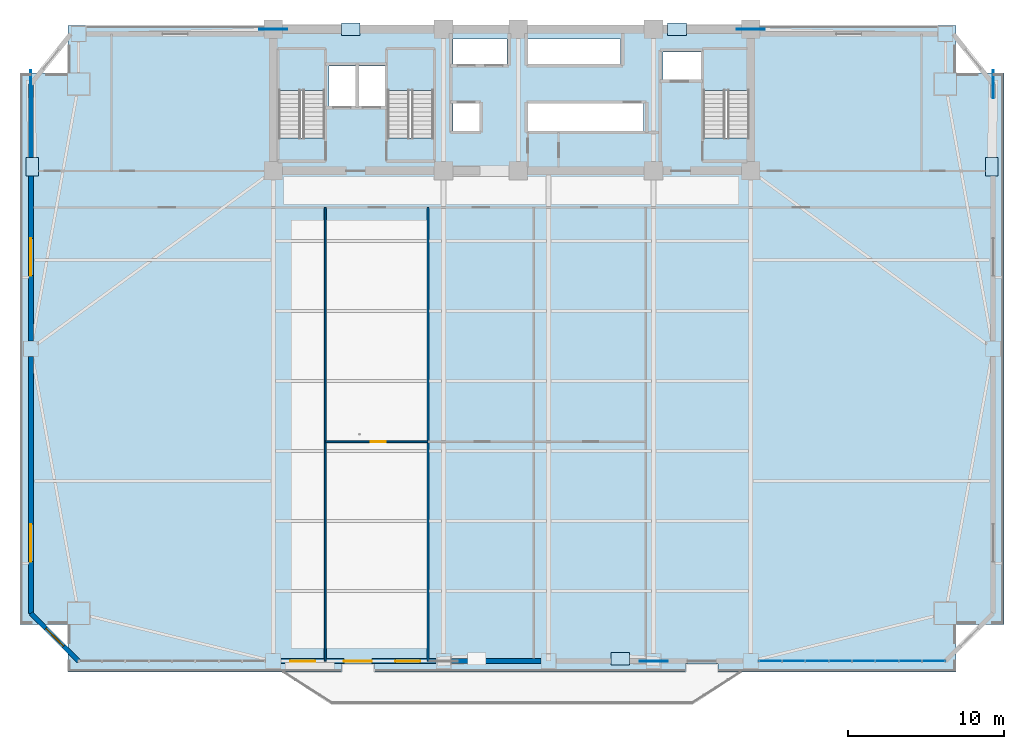
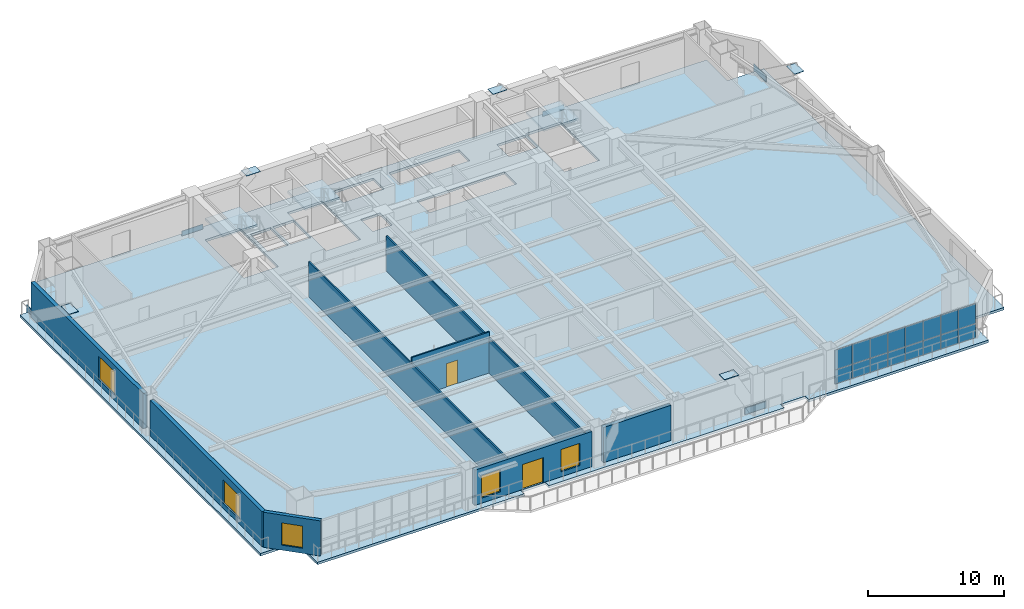
# One storey, part 7 of 16: 26 plates, 8 walls, 5 windows, 4 slabs, 2 doors, 7 openings, 4 elements without a shape of their own.
"""IFC4 building model written with IfcOpenShell, lengths in metres."""

from ifc_helpers import new_model, si_unit, direction, frame, frame_2d, origin, origin_2d, place, context, subcontext, project, spatial, polyline, rectangle, outline, extrude, source, transform, mapped, material, layer, layer_set, type_object, element, fill, aggregate, save


model = new_model("IFC4")

# Units and contexts
model_context = context("Model", 3, precision=1e-05, world=origin(), true_north=direction((0.0, 1.0)))
body_context = subcontext(model_context, "Body", "Model", "MODEL_VIEW")
ifc_project = project(units=[si_unit("LENGTHUNIT", "METRE"), si_unit("AREAUNIT", "SQUARE_METRE"), si_unit("VOLUMEUNIT", "CUBIC_METRE"), si_unit("PLANEANGLEUNIT", "RADIAN"), si_unit("MASSUNIT", "GRAM", prefix="KILO")], contexts=[model_context])

# Site, building, storey
site_placement = place(None, origin())
site = spatial("IfcSite", under=ifc_project, at=site_placement, CompositionType="ELEMENT")
building_placement = place(site_placement, origin())
building = spatial("IfcBuilding", under=site, at=building_placement, Name="Giltprow Tower", CompositionType="ELEMENT")
storey_placement = place(building_placement, frame((0.0, 0.0, 87.39990234375)))
storey = spatial("IfcBuildingStorey", under=building, at=storey_placement, Name="L21", CompositionType="ELEMENT", Elevation=87.39990234375)

# Slab
ifc_material_1 = material(Name="Concrete C40", Category="concrete")
ifc_layer_1 = layer(ifc_material_1, 0.219970703125, Name="Concrete C40")
ifc_layer_set_1 = layer_set([ifc_layer_1], Name="Concrete C40")
slab_type_1 = type_object("IfcSlabType", Name="SLB-OFF-220", PredefinedType="FLOOR", material=ifc_layer_set_1)
slab_1_placement = place(storey_placement, frame((0.0, 0.0, -0.219970703125)))
element("IfcSlab", 1, at=slab_1_placement, inside=storey, type_object=slab_type_1, Name="L21 Structural Composite Floor Slab", PredefinedType="FLOOR", context=body_context, shape_type="SweptSolid", body=[
    extrude(outline(polyline([(6.64501953125, 5.236083984375), (6.64501953125, 8.305908203125), (3.574951171875, 8.305908203125), (3.574951171875, 43.72998046875), (6.64501953125, 43.72998046875), (6.64501953125, 46.800048828125), (63.756103515625, 46.800048828125), (63.756103515625, 43.72998046875), (66.825927734375, 43.72998046875), (66.825927734375, 8.305908203125), (63.756103515625, 8.305908203125), (63.756103515625, 5.236083984375), (48.449951171875, 5.236083984375), (48.449951171875, 5.756103515625), (46.35009765625, 5.756103515625), (46.35009765625, 5.236083984375), (26.35009765625, 5.236083984375), (26.35009765625, 5.756103515625), (24.25, 5.756103515625), (24.25, 5.236083984375), (6.64501953125, 5.236083984375)]), holes=[polyline([(33.10009765625, 41.800048828125), (31.419921875, 41.800048828125), (31.419921875, 40.0), (33.10009765625, 40.0), (33.10009765625, 41.800048828125)]), polyline([(23.159912109375, 39.570068359375), (23.159912109375, 45.25), (20.199951171875, 45.25), (20.199951171875, 39.570068359375), (23.159912109375, 39.570068359375)]), polyline([(30.159912109375, 45.25), (27.199951171875, 45.25), (27.199951171875, 39.570068359375), (30.159912109375, 39.570068359375), (30.159912109375, 45.25)]), polyline([(25.169921875, 41.60009765625), (25.169921875, 44.199951171875), (23.449951171875, 44.199951171875), (23.449951171875, 41.60009765625), (25.169921875, 41.60009765625)]), polyline([(27.10009765625, 41.60009765625), (27.10009765625, 44.199951171875), (25.35009765625, 44.199951171875), (25.35009765625, 41.60009765625), (27.10009765625, 41.60009765625)]), polyline([(43.659912109375, 40.0), (43.659912109375, 41.800048828125), (36.239990234375, 41.800048828125), (36.239990234375, 40.0), (43.659912109375, 40.0)]), polyline([(50.4599609375, 39.570068359375), (50.4599609375, 45.25), (47.5, 45.25), (47.5, 39.570068359375), (50.4599609375, 39.570068359375)]), polyline([(47.3798828125, 45.10009765625), (44.919921875, 45.10009765625), (44.919921875, 43.300048828125), (47.3798828125, 43.300048828125), (47.3798828125, 45.10009765625)]), polyline([(34.8798828125, 44.300048828125), (34.8798828125, 45.919921875), (31.419921875, 45.919921875), (31.419921875, 44.300048828125), (34.8798828125, 44.300048828125)]), polyline([(42.169921875, 44.300048828125), (42.169921875, 45.919921875), (36.239990234375, 45.919921875), (36.239990234375, 44.300048828125), (42.169921875, 44.300048828125)])]), origin(), (0.0, 0.0, 1.0), 0.219970703125),
])

# Stair, slab
stair_type_1 = type_object("IfcStairType", Name="STR-ST-1", PredefinedType="HALF_TURN_STAIR", material=ifc_material_1)
stair_1_placement = place(storey_placement, origin())
stair_1 = element("IfcStair", 2, at=stair_1_placement, inside=storey, type_object=stair_type_1, Name="L21 Core Exit Stair ST-1", PredefinedType="HALF_TURN_STAIR")
ifc_layer_2 = layer(ifc_material_1, 0.179931640625, Name="Concrete C40")
ifc_layer_set_2 = layer_set([ifc_layer_2], Name="Concrete C40")
slab_type_2 = type_object("IfcSlabType", Name="SLD-ST-1", PredefinedType="LANDING", material=ifc_layer_set_2)
slab_2_placement = place(storey_placement, frame((0.0, 0.0, 1.77001953125)))
slab_2 = element("IfcSlab", 3, at=slab_2_placement, type_object=slab_type_2, Name="ST-1 landing 1", PredefinedType="LANDING", context=body_context, shape_type="SweptSolid", body=[
    extrude(outline(polyline([(23.159912109375, 42.6298828125), (23.159912109375, 45.25), (20.199951171875, 45.25), (20.199951171875, 42.6298828125), (23.159912109375, 42.6298828125)])), origin(), (0.0, 0.0, 1.0), 0.18017578125),
])
aggregate(stair_1, [slab_2])

stair_type_2 = type_object("IfcStairType", Name="STR-ST-2", PredefinedType="HALF_TURN_STAIR", material=ifc_material_1)
stair_2_placement = place(storey_placement, origin())
stair_2 = element("IfcStair", 4, at=stair_2_placement, inside=storey, type_object=stair_type_2, Name="L21 Core Exit Stair ST-2", PredefinedType="HALF_TURN_STAIR")
ifc_layer_3 = layer(ifc_material_1, 0.18798828125, Name="Concrete C40")
ifc_layer_set_3 = layer_set([ifc_layer_3], Name="Concrete C40")
slab_type_3 = type_object("IfcSlabType", Name="SLD-ST-2", PredefinedType="LANDING", material=ifc_layer_set_3)
slab_3_placement = place(storey_placement, frame((0.0, 0.0, 1.76220703125)))
slab_3 = element("IfcSlab", 5, at=slab_3_placement, type_object=slab_type_3, Name="ST-2 landing 1", PredefinedType="LANDING", context=body_context, shape_type="SweptSolid", body=[
    extrude(outline(polyline([(30.159912109375, 42.6298828125), (30.159912109375, 45.25), (27.199951171875, 45.25), (27.199951171875, 42.6298828125), (30.159912109375, 42.6298828125)])), origin(), (0.0, 0.0, 1.0), 0.18798828125),
])
aggregate(stair_2, [slab_3])

stair_type_3 = type_object("IfcStairType", Name="STR-ST-3", PredefinedType="HALF_TURN_STAIR", material=ifc_material_1)
stair_3_placement = place(storey_placement, origin())
stair_3 = element("IfcStair", 6, at=stair_3_placement, inside=storey, type_object=stair_type_3, Name="L21 Core Exit Stair ST-3", PredefinedType="HALF_TURN_STAIR")
ifc_layer_4 = layer(ifc_material_1, 0.196044921875, Name="Concrete C40")
ifc_layer_set_4 = layer_set([ifc_layer_4], Name="Concrete C40")
slab_type_4 = type_object("IfcSlabType", Name="SLD-ST-3", PredefinedType="LANDING", material=ifc_layer_set_4)
slab_4_placement = place(storey_placement, frame((0.0, 0.0, 1.754150390625)))
slab_4 = element("IfcSlab", 7, at=slab_4_placement, type_object=slab_type_4, Name="ST-3 landing 1", PredefinedType="LANDING", context=body_context, shape_type="SweptSolid", body=[
    extrude(outline(polyline([(50.4599609375, 42.6298828125), (50.4599609375, 45.25), (47.5, 45.25), (47.5, 42.6298828125), (50.4599609375, 42.6298828125)])), origin(), (0.0, 0.0, 1.0), 0.196044921875),
])
aggregate(stair_3, [slab_4])

# Plates
ifc_material_2 = material(Name="Structural steel Q420GJC", Category="steel")
plate_type_1 = type_object("IfcPlateType", Name="PLT-NODE-MBN1", PredefinedType="USERDEFINED", material=ifc_material_2)
shared_shape_1 = source(origin(), body_context, "Body", "SweptSolid", [
    extrude(rectangle(XDim=1.800048828125, YDim=0.050048828125, at=origin_2d()), origin(), (0.0, 0.0, 1.0), 1.14990234375),
])
for number, where, z_axis, x_axis, name in (
    (8, (44.300048828125, 5.93603515625, -0.574951171875), (0.0, 0.0, 1.0), (1.0, 0.0, 0.0), "Mega-Brace Node L21-S-RA"),
    (9, (19.85009765625, 46.550048828125, -0.71484375), (0.0, 0.0, 1.0), (1.0, 0.0, 0.0), "Mega-Brace Node L21-N-LA"),
    (10, (50.550048828125, 46.550048828125, -0.71484375), (0.0, 0.0, 1.0), (1.0, 0.0, 0.0), "Mega-Brace Node L21-N-RA"),
    (11, (4.27490234375, 43.030029296875, -0.574951171875), (0.0, 0.0, 1.0), (0.0, 1.0, 0.0), "Mega-Brace Node L21-W-RA"),
    (12, (66.1259765625, 43.030029296875, -0.574951171875), (0.0, 0.0, 1.0), (0.0, 1.0, 0.0), "Mega-Brace Node L21-E-RA"),
):
    element("IfcPlate", number, at=place(storey_placement, frame(where, z_axis=z_axis, x_axis=x_axis)), inside=storey, type_object=plate_type_1, Name=name, ObjectType="GUSSET", PredefinedType="USERDEFINED", context=body_context, shape_type="MappedRepresentation", body=[
        mapped(shared_shape_1, transform((0.0, 0.0, 0.0), x_axis=(1.0, 0.0, 0.0), y_axis=(0.0, 1.0, 0.0), z_axis=(0.0, 0.0, 1.0), scale=1.0)),
    ])
plate_type_2 = type_object("IfcPlateType", Name="PLT-CAP-SEAL", PredefinedType="USERDEFINED", material=ifc_material_2)
shared_shape_2 = source(origin(), body_context, "Body", "SweptSolid", [
    extrude(rectangle(XDim=1.199951171875, YDim=0.800048828125, at=origin_2d()), origin(), (0.0, 0.0, 1.0), 0.034912109375),
])
for number, where, z_axis, x_axis, name in (
    (13, (42.159912109375, 6.10302734375, 3.8828125), (0.0, 0.0, 1.0), (1.0, 0.0, 0.0), "Mega-Brace Node L21-S-RB"),
    (14, (24.843994140625, 46.550048828125, 3.74267578125), (0.0, 0.0, 1.0), (1.0, 0.0, 0.0), "Mega-Brace Node L21-N-LB"),
    (15, (45.81005859375, 46.550048828125, 3.74267578125), (0.0, 0.0, 1.0), (1.0, 0.0, 0.0), "Mega-Brace Node L21-N-RB"),
    (16, (4.35009765625, 37.718994140625, 3.8828125), (0.0, 0.0, 1.0), (0.0, 1.0, 0.0), "Mega-Brace Node L21-W-RB"),
    (17, (66.051025390625, 37.718994140625, 3.8828125), (0.0, 0.0, 1.0), (0.0, 1.0, 0.0), "Mega-Brace Node L21-E-RB"),
):
    element("IfcPlate", number, at=place(storey_placement, frame(where, z_axis=z_axis, x_axis=x_axis)), inside=storey, type_object=plate_type_2, Name=name, ObjectType="SPLICE", PredefinedType="USERDEFINED", context=body_context, shape_type="MappedRepresentation", body=[
        mapped(shared_shape_2, transform((0.0, 0.0, 0.0), x_axis=(1.0, 0.0, 0.0), y_axis=(0.0, 1.0, 0.0), z_axis=(0.0, 0.0, 1.0), scale=1.0)),
    ])

# Curtain wall, plates
ifc_material_3 = material(Name="Anodized bronze", Category="metal")
ifc_layer_5 = layer(ifc_material_3, 0.179931640625, Name="Anodized bronze")
ifc_layer_set_5 = layer_set([ifc_layer_5], Name="Anodized bronze")
curtain_wall_type = type_object("IfcCurtainWallType", Name="CW-OFF-RECESSED", PredefinedType="NOTDEFINED", material=ifc_layer_set_5)
curtain_wall_placement = place(storey_placement, origin())
curtain_wall = element("IfcCurtainWall", 18, at=curtain_wall_placement, inside=storey, type_object=curtain_wall_type, Name="L21 South Recessed Curtain Wall 6", PredefinedType="NOTDEFINED")
ifc_material_4 = material(Name="Insulated glass", Category="glass")
plate_type_3 = type_object("IfcPlateType", Name="CW-PANEL-IGU-28", PredefinedType="CURTAIN_PANEL", material=ifc_material_4)
shared_shape_3 = source(origin(), body_context, "Body", "SweptSolid", [
    extrude(rectangle(XDim=1.470947265625, YDim=0.028076171875, at=origin_2d()), origin(), (0.0, 0.0, 1.0), 1.259033203125),
])
plate_1_placement = place(storey_placement, frame((51.800048828125, 5.93603515625, 0.0546875), z_axis=(0.0, 0.0, 1.0), x_axis=(1.0, 0.0, 0.0)))
plate_1 = element("IfcPlate", 19, at=plate_1_placement, type_object=plate_type_3, Name="L21 South Recessed Curtain Wall 6 Glazing Panel 1-1", PredefinedType="CURTAIN_PANEL", context=body_context, shape_type="MappedRepresentation", body=[
    mapped(shared_shape_3, transform((0.0, 0.0, 0.0), x_axis=(1.0, 0.0, 0.0), y_axis=(0.0, 1.0, 0.0), z_axis=(0.0, 0.0, 1.0), scale=1.0)),
])
plate_2_placement = place(storey_placement, frame((53.301025390625, 5.93603515625, 0.0546875), z_axis=(0.0, 0.0, 1.0), x_axis=(1.0, 0.0, 0.0)))
plate_2 = element("IfcPlate", 20, at=plate_2_placement, type_object=plate_type_3, Name="L21 South Recessed Curtain Wall 6 Glazing Panel 2-1", PredefinedType="CURTAIN_PANEL", context=body_context, shape_type="MappedRepresentation", body=[
    mapped(shared_shape_3, transform((0.0, 0.0, 0.0), x_axis=(1.0, 0.0, 0.0), y_axis=(0.0, 1.0, 0.0), z_axis=(0.0, 0.0, 1.0), scale=1.0)),
])
plate_3_placement = place(storey_placement, frame((54.802001953125, 5.93603515625, 0.0546875), z_axis=(0.0, 0.0, 1.0), x_axis=(1.0, 0.0, 0.0)))
plate_3 = element("IfcPlate", 21, at=plate_3_placement, type_object=plate_type_3, Name="L21 South Recessed Curtain Wall 6 Glazing Panel 3-1", PredefinedType="CURTAIN_PANEL", context=body_context, shape_type="MappedRepresentation", body=[
    mapped(shared_shape_3, transform((0.0, 0.0, 0.0), x_axis=(1.0, 0.0, 0.0), y_axis=(0.0, 1.0, 0.0), z_axis=(0.0, 0.0, 1.0), scale=1.0)),
])
plate_4_placement = place(storey_placement, frame((56.302978515625, 5.93603515625, 0.0546875), z_axis=(0.0, 0.0, 1.0), x_axis=(1.0, 0.0, 0.0)))
plate_4 = element("IfcPlate", 22, at=plate_4_placement, type_object=plate_type_3, Name="L21 South Recessed Curtain Wall 6 Glazing Panel 4-1", PredefinedType="CURTAIN_PANEL", context=body_context, shape_type="MappedRepresentation", body=[
    mapped(shared_shape_3, transform((0.0, 0.0, 0.0), x_axis=(1.0, 0.0, 0.0), y_axis=(0.0, 1.0, 0.0), z_axis=(0.0, 0.0, 1.0), scale=1.0)),
])
plate_5_placement = place(storey_placement, frame((57.802978515625, 5.93603515625, 0.0546875), z_axis=(0.0, 0.0, 1.0), x_axis=(1.0, 0.0, 0.0)))
plate_5 = element("IfcPlate", 23, at=plate_5_placement, type_object=plate_type_3, Name="L21 South Recessed Curtain Wall 6 Glazing Panel 5-1", PredefinedType="CURTAIN_PANEL", context=body_context, shape_type="MappedRepresentation", body=[
    mapped(shared_shape_3, transform((0.0, 0.0, 0.0), x_axis=(1.0, 0.0, 0.0), y_axis=(0.0, 1.0, 0.0), z_axis=(0.0, 0.0, 1.0), scale=1.0)),
])
plate_6_placement = place(storey_placement, frame((59.303955078125, 5.93603515625, 0.0546875), z_axis=(0.0, 0.0, 1.0), x_axis=(1.0, 0.0, 0.0)))
plate_6 = element("IfcPlate", 24, at=plate_6_placement, type_object=plate_type_3, Name="L21 South Recessed Curtain Wall 6 Glazing Panel 6-1", PredefinedType="CURTAIN_PANEL", context=body_context, shape_type="MappedRepresentation", body=[
    mapped(shared_shape_3, transform((0.0, 0.0, 0.0), x_axis=(1.0, 0.0, 0.0), y_axis=(0.0, 1.0, 0.0), z_axis=(0.0, 0.0, 1.0), scale=1.0)),
])
plate_7_placement = place(storey_placement, frame((60.804931640625, 5.93603515625, 0.0546875), z_axis=(0.0, 0.0, 1.0), x_axis=(1.0, 0.0, 0.0)))
plate_7 = element("IfcPlate", 25, at=plate_7_placement, type_object=plate_type_3, Name="L21 South Recessed Curtain Wall 6 Glazing Panel 7-1", PredefinedType="CURTAIN_PANEL", context=body_context, shape_type="MappedRepresentation", body=[
    mapped(shared_shape_3, transform((0.0, 0.0, 0.0), x_axis=(1.0, 0.0, 0.0), y_axis=(0.0, 1.0, 0.0), z_axis=(0.0, 0.0, 1.0), scale=1.0)),
])
plate_8_placement = place(storey_placement, frame((62.305908203125, 5.93603515625, 0.0546875), z_axis=(0.0, 0.0, 1.0), x_axis=(1.0, 0.0, 0.0)))
plate_8 = element("IfcPlate", 26, at=plate_8_placement, type_object=plate_type_3, Name="L21 South Recessed Curtain Wall 6 Glazing Panel 8-1", PredefinedType="CURTAIN_PANEL", context=body_context, shape_type="MappedRepresentation", body=[
    mapped(shared_shape_3, transform((0.0, 0.0, 0.0), x_axis=(1.0, 0.0, 0.0), y_axis=(0.0, 1.0, 0.0), z_axis=(0.0, 0.0, 1.0), scale=1.0)),
])
shared_shape_4 = source(origin(), body_context, "Body", "SweptSolid", [
    extrude(rectangle(XDim=1.470947265625, YDim=0.028076171875, at=origin_2d()), origin(), (0.0, 0.0, 1.0), 1.764892578125),
])
plate_9_placement = place(storey_placement, frame((51.800048828125, 5.93603515625, 1.341796875), z_axis=(0.0, 0.0, 1.0), x_axis=(1.0, 0.0, 0.0)))
plate_9 = element("IfcPlate", 27, at=plate_9_placement, type_object=plate_type_3, Name="L21 South Recessed Curtain Wall 6 Glazing Panel 1-2", PredefinedType="CURTAIN_PANEL", context=body_context, shape_type="MappedRepresentation", body=[
    mapped(shared_shape_4, transform((0.0, 0.0, 0.0), x_axis=(1.0, 0.0, 0.0), y_axis=(0.0, 1.0, 0.0), z_axis=(0.0, 0.0, 1.0), scale=1.0)),
])
plate_10_placement = place(storey_placement, frame((53.301025390625, 5.93603515625, 1.341796875), z_axis=(0.0, 0.0, 1.0), x_axis=(1.0, 0.0, 0.0)))
plate_10 = element("IfcPlate", 28, at=plate_10_placement, type_object=plate_type_3, Name="L21 South Recessed Curtain Wall 6 Glazing Panel 2-2", PredefinedType="CURTAIN_PANEL", context=body_context, shape_type="MappedRepresentation", body=[
    mapped(shared_shape_4, transform((0.0, 0.0, 0.0), x_axis=(1.0, 0.0, 0.0), y_axis=(0.0, 1.0, 0.0), z_axis=(0.0, 0.0, 1.0), scale=1.0)),
])
plate_11_placement = place(storey_placement, frame((54.802001953125, 5.93603515625, 1.341796875), z_axis=(0.0, 0.0, 1.0), x_axis=(1.0, 0.0, 0.0)))
plate_11 = element("IfcPlate", 29, at=plate_11_placement, type_object=plate_type_3, Name="L21 South Recessed Curtain Wall 6 Glazing Panel 3-2", PredefinedType="CURTAIN_PANEL", context=body_context, shape_type="MappedRepresentation", body=[
    mapped(shared_shape_4, transform((0.0, 0.0, 0.0), x_axis=(1.0, 0.0, 0.0), y_axis=(0.0, 1.0, 0.0), z_axis=(0.0, 0.0, 1.0), scale=1.0)),
])
plate_12_placement = place(storey_placement, frame((56.302978515625, 5.93603515625, 1.341796875), z_axis=(0.0, 0.0, 1.0), x_axis=(1.0, 0.0, 0.0)))
plate_12 = element("IfcPlate", 30, at=plate_12_placement, type_object=plate_type_3, Name="L21 South Recessed Curtain Wall 6 Glazing Panel 4-2", PredefinedType="CURTAIN_PANEL", context=body_context, shape_type="MappedRepresentation", body=[
    mapped(shared_shape_4, transform((0.0, 0.0, 0.0), x_axis=(1.0, 0.0, 0.0), y_axis=(0.0, 1.0, 0.0), z_axis=(0.0, 0.0, 1.0), scale=1.0)),
])
plate_13_placement = place(storey_placement, frame((57.802978515625, 5.93603515625, 1.341796875), z_axis=(0.0, 0.0, 1.0), x_axis=(1.0, 0.0, 0.0)))
plate_13 = element("IfcPlate", 31, at=plate_13_placement, type_object=plate_type_3, Name="L21 South Recessed Curtain Wall 6 Glazing Panel 5-2", PredefinedType="CURTAIN_PANEL", context=body_context, shape_type="MappedRepresentation", body=[
    mapped(shared_shape_4, transform((0.0, 0.0, 0.0), x_axis=(1.0, 0.0, 0.0), y_axis=(0.0, 1.0, 0.0), z_axis=(0.0, 0.0, 1.0), scale=1.0)),
])
plate_14_placement = place(storey_placement, frame((59.303955078125, 5.93603515625, 1.341796875), z_axis=(0.0, 0.0, 1.0), x_axis=(1.0, 0.0, 0.0)))
plate_14 = element("IfcPlate", 32, at=plate_14_placement, type_object=plate_type_3, Name="L21 South Recessed Curtain Wall 6 Glazing Panel 6-2", PredefinedType="CURTAIN_PANEL", context=body_context, shape_type="MappedRepresentation", body=[
    mapped(shared_shape_4, transform((0.0, 0.0, 0.0), x_axis=(1.0, 0.0, 0.0), y_axis=(0.0, 1.0, 0.0), z_axis=(0.0, 0.0, 1.0), scale=1.0)),
])
plate_15_placement = place(storey_placement, frame((60.804931640625, 5.93603515625, 1.341796875), z_axis=(0.0, 0.0, 1.0), x_axis=(1.0, 0.0, 0.0)))
plate_15 = element("IfcPlate", 33, at=plate_15_placement, type_object=plate_type_3, Name="L21 South Recessed Curtain Wall 6 Glazing Panel 7-2", PredefinedType="CURTAIN_PANEL", context=body_context, shape_type="MappedRepresentation", body=[
    mapped(shared_shape_4, transform((0.0, 0.0, 0.0), x_axis=(1.0, 0.0, 0.0), y_axis=(0.0, 1.0, 0.0), z_axis=(0.0, 0.0, 1.0), scale=1.0)),
])
plate_16_placement = place(storey_placement, frame((62.305908203125, 5.93603515625, 1.341796875), z_axis=(0.0, 0.0, 1.0), x_axis=(1.0, 0.0, 0.0)))
plate_16 = element("IfcPlate", 34, at=plate_16_placement, type_object=plate_type_3, Name="L21 South Recessed Curtain Wall 6 Glazing Panel 8-2", PredefinedType="CURTAIN_PANEL", context=body_context, shape_type="MappedRepresentation", body=[
    mapped(shared_shape_4, transform((0.0, 0.0, 0.0), x_axis=(1.0, 0.0, 0.0), y_axis=(0.0, 1.0, 0.0), z_axis=(0.0, 0.0, 1.0), scale=1.0)),
])
aggregate(curtain_wall, [plate_1, plate_9, plate_2, plate_10, plate_3, plate_11, plate_4, plate_12, plate_5, plate_13, plate_6, plate_14, plate_7, plate_15, plate_8, plate_16])

# Wall, opening, window
ifc_material_5 = material(Name="Precast concrete C40", Category="concrete")
ifc_layer_6 = layer(ifc_material_5, 0.300048828125, Name="Precast concrete C40")
ifc_layer_set_6 = layer_set([ifc_layer_6], Name="Precast concrete C40")
wall_type_1 = type_object("IfcWallType", Name="EW-NOTCH-CHAMFER-300", PredefinedType="SOLIDWALL", material=ifc_layer_set_6)
wall_1_placement = place(storey_placement, frame((4.27490234375, 9.006103515625, 0.0), z_axis=(0.0, 0.0, 1.0), x_axis=(0.707106781187, -0.707106781187, 0.0)))
wall_1 = element("IfcWall", 35, at=wall_1_placement, inside=storey, type_object=wall_type_1, Name="L21 Corner Notch Wall SW", PredefinedType="SOLIDWALL", context=body_context, shape_type="SweptSolid", body=[
    extrude(rectangle(XDim=4.341796875, YDim=0.300048828125, at=frame_2d((2.1708984375, 0.0))), origin(), (0.0, 0.0, 1.0), 3.16015625),
])
opening_1_placement = place(wall_1_placement, frame((1.37109375, 0.0, 0.449951171875)))
opening_1 = element("IfcOpeningElement", 36, at=opening_1_placement, cuts=wall_1, Name="Opening WN17", PredefinedType="OPENING", context=body_context, shape_type="SweptSolid", body=[
    extrude(rectangle(XDim=1.60009765625, YDim=2.0, at=frame_2d((0.800048828125, 1.0))), frame((0.0, 0.159912109375, 0.0), z_axis=(0.0, -1.0, 0.0), x_axis=(1.0, 0.0, 0.0)), (0.0, 0.0, 1.0), 0.320068359375),
])
window_type_1 = type_object("IfcWindowType", Name="WN-COR-1600x2000", PartitioningType="SINGLE_PANEL", PredefinedType="WINDOW", material=ifc_material_4)
shared_shape_5 = source(origin(), body_context, "Body", "SweptSolid", [
    extrude(rectangle(XDim=1.60009765625, YDim=2.0, at=frame_2d((0.800048828125, 1.0))), frame((0.0, 0.030029296875, 0.0), z_axis=(0.0, -1.0, 0.0), x_axis=(1.0, 0.0, 0.0)), (0.0, 0.0, 1.0), 0.06005859375),
])
window_1_placement = place(opening_1_placement, origin())
window_1 = element("IfcWindow", 37, at=window_1_placement, inside=storey, type_object=window_type_1, Name="L21 Corner Notch Window SW", OverallHeight=2.0, OverallWidth=1.60009765625, PartitioningType="SINGLE_PANEL", PredefinedType="WINDOW", context=body_context, shape_type="MappedRepresentation", body=[
    mapped(shared_shape_5, transform((0.0, 0.0, 0.0), x_axis=(1.0, 0.0, 0.0), y_axis=(0.0, 1.0, 0.0), z_axis=(0.0, 0.0, 1.0), scale=1.0)),
])
fill(opening_1, window_1)

# Wall, openings, windows, door
ifc_layer_7 = layer(ifc_material_5, 0.320068359375, Name="Precast concrete C40")
ifc_layer_set_7 = layer_set([ifc_layer_7], Name="Precast concrete C40")
wall_type_2 = type_object("IfcWallType", Name="EW-TOW-STONE-320", PredefinedType="SOLIDWALL", material=ifc_layer_set_7)
wall_2_placement = place(storey_placement, frame((20.35009765625, 5.93603515625, 0.0), z_axis=(0.0, 0.0, 1.0), x_axis=(1.0, 0.0, 0.0)))
wall_2 = element("IfcWall", 38, at=wall_2_placement, inside=storey, type_object=wall_type_2, Name="L21 South Expressed Frame Wall 2", PredefinedType="SOLIDWALL", context=body_context, shape_type="SweptSolid", body=[
    extrude(rectangle(XDim=9.949951171875, YDim=0.320068359375, at=frame_2d((4.97509765625, 0.0))), origin(), (0.0, 0.0, 1.0), 3.16015625),
])
opening_2_placement = place(wall_2_placement, frame((4.050048828125, 0.0, 0.0)))
opening_2 = element("IfcOpeningElement", 39, at=opening_2_placement, cuts=wall_2, Name="Opening ED25", PredefinedType="OPENING", context=body_context, shape_type="SweptSolid", body=[
    extrude(rectangle(XDim=1.800048828125, YDim=2.25, at=frame_2d((0.89990234375, 1.125))), frame((0.0, 0.169921875, 0.0), z_axis=(0.0, -1.0, 0.0), x_axis=(1.0, 0.0, 0.0)), (0.0, 0.0, 1.0), 0.340087890625),
])
opening_3_placement = place(wall_2_placement, frame((0.590087890625, 0.0, 0.449951171875)))
opening_3 = element("IfcOpeningElement", 40, at=opening_3_placement, cuts=wall_2, Name="Opening WN17", PredefinedType="OPENING", context=body_context, shape_type="SweptSolid", body=[
    extrude(rectangle(XDim=1.60009765625, YDim=2.0, at=frame_2d((0.800048828125, 1.0))), frame((0.0, 0.169921875, 0.0), z_axis=(0.0, -1.0, 0.0), x_axis=(1.0, 0.0, 0.0)), (0.0, 0.0, 1.0), 0.340087890625),
])
opening_4_placement = place(wall_2_placement, frame((7.35009765625, 0.0, 0.449951171875)))
opening_4 = element("IfcOpeningElement", 41, at=opening_4_placement, cuts=wall_2, Name="Opening WN17", PredefinedType="OPENING", context=body_context, shape_type="SweptSolid", body=[
    extrude(rectangle(XDim=1.60009765625, YDim=2.0, at=frame_2d((0.800048828125, 1.0))), frame((0.0, 0.169921875, 0.0), z_axis=(0.0, -1.0, 0.0), x_axis=(1.0, 0.0, 0.0)), (0.0, 0.0, 1.0), 0.340087890625),
])
window_2_placement = place(opening_3_placement, origin())
window_2 = element("IfcWindow", 42, at=window_2_placement, inside=storey, type_object=window_type_1, Name="L21 South Window 2A", OverallHeight=2.0, OverallWidth=1.60009765625, PartitioningType="SINGLE_PANEL", PredefinedType="WINDOW", context=body_context, shape_type="MappedRepresentation", body=[
    mapped(shared_shape_5, transform((0.0, 0.0, 0.0), x_axis=(1.0, 0.0, 0.0), y_axis=(0.0, 1.0, 0.0), z_axis=(0.0, 0.0, 1.0), scale=1.0)),
])
fill(opening_3, window_2)
window_3_placement = place(opening_4_placement, origin())
window_3 = element("IfcWindow", 43, at=window_3_placement, inside=storey, type_object=window_type_1, Name="L21 South Window 2B", OverallHeight=2.0, OverallWidth=1.60009765625, PartitioningType="SINGLE_PANEL", PredefinedType="WINDOW", context=body_context, shape_type="MappedRepresentation", body=[
    mapped(shared_shape_5, transform((0.0, 0.0, 0.0), x_axis=(1.0, 0.0, 0.0), y_axis=(0.0, 1.0, 0.0), z_axis=(0.0, 0.0, 1.0), scale=1.0)),
])
fill(opening_4, window_3)
ifc_material_6 = material(Name="Anodized bronze and glass", Category="glass")
door_type_1 = type_object("IfcDoorType", Name="DR-BALC-SLIDE-1800", OperationType="SLIDING_TO_LEFT", PredefinedType="DOOR", material=ifc_material_6)
shared_shape_6 = source(origin(), body_context, "Body", "SweptSolid", [
    extrude(rectangle(XDim=1.800048828125, YDim=2.25, at=frame_2d((0.89990234375, 1.125))), frame((0.0, 0.02490234375, 0.0), z_axis=(0.0, -1.0, 0.0), x_axis=(1.0, 0.0, 0.0)), (0.0, 0.0, 1.0), 0.050048828125),
])
door_1_placement = place(opening_2_placement, origin())
door_1 = element("IfcDoor", 44, at=door_1_placement, inside=storey, type_object=door_type_1, Name="L21 Waterfront Balcony Sliding Door 1", OperationType="SLIDING_TO_LEFT", OverallHeight=2.25, OverallWidth=1.800048828125, PredefinedType="DOOR", context=body_context, shape_type="MappedRepresentation", body=[
    mapped(shared_shape_6, transform((0.0, 0.0, 0.0), x_axis=(1.0, 0.0, 0.0), y_axis=(0.0, 1.0, 0.0), z_axis=(0.0, 0.0, 1.0), scale=1.0)),
])
fill(opening_2, door_1)

# Wall
wall_3_placement = place(storey_placement, frame((31.300048828125, 5.93603515625, 0.0), z_axis=(0.0, 0.0, 1.0), x_axis=(1.0, 0.0, 0.0)))
element("IfcWall", 45, at=wall_3_placement, inside=storey, type_object=wall_type_2, Name="L21 South Expressed Frame Wall 3", PredefinedType="SOLIDWALL", context=body_context, shape_type="SweptSolid", body=[
    extrude(rectangle(XDim=5.75, YDim=0.320068359375, at=frame_2d((2.875, 0.0))), origin(), (0.0, 0.0, 1.0), 3.16015625),
])

# Wall, opening, window
wall_4_placement = place(storey_placement, frame((4.27490234375, 9.006103515625, 0.0), z_axis=(0.0, 0.0, 1.0), x_axis=(0.0, 1.0, 0.0)))
wall_4 = element("IfcWall", 46, at=wall_4_placement, inside=storey, type_object=wall_type_2, Name="L21 W Wing Masonry Wall 1", PredefinedType="SOLIDWALL", context=body_context, shape_type="SweptSolid", body=[
    extrude(rectangle(XDim=16.511962890625, YDim=0.320068359375, at=frame_2d((8.255859375, 0.0))), origin(), (0.0, 0.0, 1.0), 3.16015625),
])
opening_5_placement = place(wall_4_placement, frame((3.3330078125, 0.0, 0.449951171875)))
opening_5 = element("IfcOpeningElement", 47, at=opening_5_placement, cuts=wall_4, Name="Opening WN29", PredefinedType="OPENING", context=body_context, shape_type="SweptSolid", body=[
    extrude(rectangle(XDim=2.39990234375, YDim=2.10009765625, at=frame_2d((1.199951171875, 1.050048828125))), frame((0.0, 0.169921875, 0.0), z_axis=(0.0, -1.0, 0.0), x_axis=(1.0, 0.0, 0.0)), (0.0, 0.0, 1.0), 0.340087890625),
])
window_type_2 = type_object("IfcWindowType", Name="WN-OFF-2400x2100", PartitioningType="DOUBLE_PANEL_VERTICAL", PredefinedType="WINDOW", material=ifc_material_4)
shared_shape_7 = source(origin(), body_context, "Body", "SweptSolid", [
    extrude(rectangle(XDim=2.39990234375, YDim=2.10009765625, at=frame_2d((1.199951171875, 1.050048828125))), frame((0.0, 0.030029296875, 0.0), z_axis=(0.0, -1.0, 0.0), x_axis=(1.0, 0.0, 0.0)), (0.0, 0.0, 1.0), 0.06005859375),
])
window_4_placement = place(opening_5_placement, origin())
window_4 = element("IfcWindow", 48, at=window_4_placement, inside=storey, type_object=window_type_2, Name="L21 W Wing Window 1-1A", OverallHeight=2.10009765625, OverallWidth=2.39990234375, PartitioningType="SINGLE_PANEL", PredefinedType="WINDOW", context=body_context, shape_type="MappedRepresentation", body=[
    mapped(shared_shape_7, transform((0.0, 0.0, 0.0), x_axis=(1.0, 0.0, 0.0), y_axis=(0.0, 1.0, 0.0), z_axis=(0.0, 0.0, 1.0), scale=1.0)),
])
fill(opening_5, window_4)

wall_5_placement = place(storey_placement, frame((4.27490234375, 26.51806640625, 0.0), z_axis=(0.0, 0.0, 1.0), x_axis=(0.0, 1.0, 0.0)))
wall_5 = element("IfcWall", 49, at=wall_5_placement, inside=storey, type_object=wall_type_2, Name="L21 W Wing Masonry Wall 2", PredefinedType="SOLIDWALL", context=body_context, shape_type="SweptSolid", body=[
    extrude(rectangle(XDim=16.511962890625, YDim=0.320068359375, at=frame_2d((8.255859375, 0.0))), origin(), (0.0, 0.0, 1.0), 3.16015625),
])
opening_6_placement = place(wall_5_placement, frame((4.200927734375, 0.0, 0.449951171875)))
opening_6 = element("IfcOpeningElement", 50, at=opening_6_placement, cuts=wall_5, Name="Opening WN29", PredefinedType="OPENING", context=body_context, shape_type="SweptSolid", body=[
    extrude(rectangle(XDim=2.39990234375, YDim=2.10009765625, at=frame_2d((1.199951171875, 1.050048828125))), frame((0.0, 0.169921875, 0.0), z_axis=(0.0, -1.0, 0.0), x_axis=(1.0, 0.0, 0.0)), (0.0, 0.0, 1.0), 0.340087890625),
])
window_5_placement = place(opening_6_placement, origin())
window_5 = element("IfcWindow", 51, at=window_5_placement, inside=storey, type_object=window_type_2, Name="L21 W Wing Window 2-1", OverallHeight=2.10009765625, OverallWidth=2.39990234375, PartitioningType="SINGLE_PANEL", PredefinedType="WINDOW", context=body_context, shape_type="MappedRepresentation", body=[
    mapped(shared_shape_7, transform((0.0, 0.0, 0.0), x_axis=(1.0, 0.0, 0.0), y_axis=(0.0, 1.0, 0.0), z_axis=(0.0, 0.0, 1.0), scale=1.0)),
])
fill(opening_6, window_5)

# Wall
ifc_material_7 = material(Name="Gypsum stud partition", Category="gypsum")
ifc_layer_8 = layer(ifc_material_7, 0.1201171875, Name="Gypsum stud partition")
ifc_layer_set_8 = layer_set([ifc_layer_8], Name="Gypsum stud partition")
wall_type_3 = type_object("IfcWallType", Name="IW-ROOM-120", PredefinedType="PARTITIONING", material=ifc_layer_set_8)
wall_6_placement = place(storey_placement, frame((23.199951171875, 5.93603515625, 0.0), z_axis=(0.0, 0.0, 1.0), x_axis=(0.0, 1.0, 0.0)))
element("IfcWall", 52, at=wall_6_placement, inside=storey, type_object=wall_type_3, Name="L21 Office Partition 1", PredefinedType="PARTITIONING", context=body_context, shape_type="SweptSolid", body=[
    extrude(rectangle(XDim=29.1640625, YDim=0.1201171875, at=frame_2d((14.58203125, 0.0))), origin(), (0.0, 0.0, 1.0), 3.1650390625),
])

# Wall, opening, door
wall_7_placement = place(storey_placement, frame((23.199951171875, 20.0390625, 0.0), z_axis=(0.0, 0.0, 1.0), x_axis=(1.0, 0.0, 0.0)))
wall_7 = element("IfcWall", 53, at=wall_7_placement, inside=storey, type_object=wall_type_3, Name="L21 Office Mid Wall 2", PredefinedType="PARTITIONING", context=body_context, shape_type="SweptSolid", body=[
    extrude(rectangle(XDim=6.60009765625, YDim=0.1201171875, at=frame_2d((3.300048828125, 0.0))), origin(), (0.0, 0.0, 1.0), 3.68017578125),
])
opening_7_placement = place(wall_7_placement, frame((2.93505859375, 0.0, 0.0)))
opening_7 = element("IfcOpeningElement", 54, at=opening_7_placement, cuts=wall_7, Name="Opening ID11", PredefinedType="OPENING", context=body_context, shape_type="SweptSolid", body=[
    extrude(rectangle(XDim=0.949951171875, YDim=2.10009765625, at=frame_2d((0.47509765625, 1.050048828125))), frame((0.0, 0.070068359375, 0.0), z_axis=(0.0, -1.0, 0.0), x_axis=(1.0, 0.0, 0.0)), (0.0, 0.0, 1.0), 0.14013671875),
])
ifc_material_8 = material(Name="Engineered timber", Category="wood")
door_type_2 = type_object("IfcDoorType", Name="DR-ROOM-950", OperationType="SINGLE_SWING_RIGHT", PredefinedType="DOOR", material=ifc_material_8)
shared_shape_8 = source(origin(), body_context, "Body", "SweptSolid", [
    extrude(rectangle(XDim=0.949951171875, YDim=2.10009765625, at=frame_2d((0.47509765625, 1.050048828125))), frame((0.0, 0.02490234375, 0.0), z_axis=(0.0, -1.0, 0.0), x_axis=(1.0, 0.0, 0.0)), (0.0, 0.0, 1.0), 0.050048828125),
])
door_2_placement = place(opening_7_placement, origin())
door_2 = element("IfcDoor", 55, at=door_2_placement, inside=storey, type_object=door_type_2, Name="L21 Catering Prep Kitchen 2 Inner Door", OperationType="SINGLE_SWING_RIGHT", OverallHeight=2.10009765625, OverallWidth=0.949951171875, PredefinedType="DOOR", context=body_context, shape_type="MappedRepresentation", body=[
    mapped(shared_shape_8, transform((0.0, 0.0, 0.0), x_axis=(1.0, 0.0, 0.0), y_axis=(0.0, 1.0, 0.0), z_axis=(0.0, 0.0, 1.0), scale=1.0)),
])
fill(opening_7, door_2)

# Wall
wall_8_placement = place(storey_placement, frame((29.800048828125, 5.93603515625, 0.0), z_axis=(0.0, 0.0, 1.0), x_axis=(0.0, 1.0, 0.0)))
element("IfcWall", 56, at=wall_8_placement, inside=storey, type_object=wall_type_3, Name="L21 Office Partition 2", PredefinedType="PARTITIONING", context=body_context, shape_type="SweptSolid", body=[
    extrude(rectangle(XDim=29.1640625, YDim=0.1201171875, at=frame_2d((14.58203125, 0.0))), origin(), (0.0, 0.0, 1.0), 3.1650390625),
])

save(model, "model.ifc")
